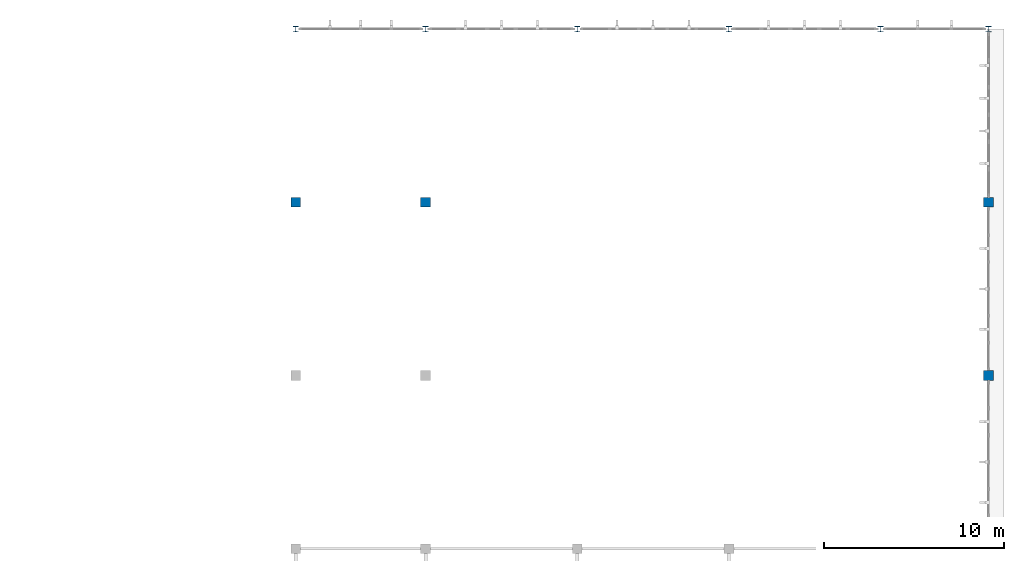
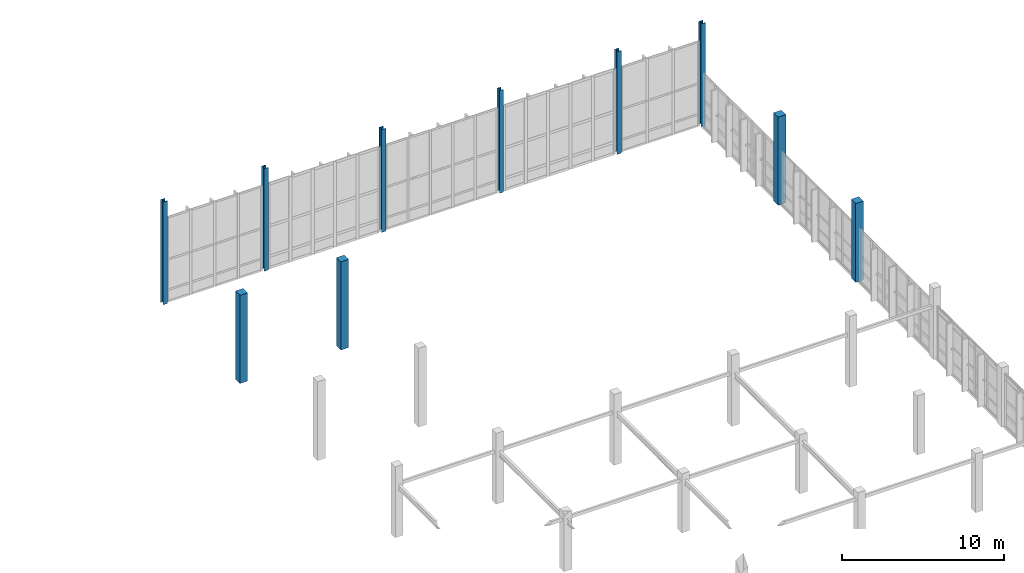
# One storey, part 5 of 67: 10 columns.
"""IFC4 building model written with IfcOpenShell, lengths in metres."""

from ifc_helpers import new_model, si_unit, direction, frame, origin, origin_2d, place, context, subcontext, project, spatial, rectangle, i_section, extrude, material, material_profile, profile_set, type_object, element, save


model = new_model("IFC4")

# Units and contexts
model_context = context("Model", 3, precision=1e-05, world=origin(), true_north=direction((0.0, 1.0)))
body_context = subcontext(model_context, "Body", "Model", "MODEL_VIEW")
ifc_project = project(units=[si_unit("LENGTHUNIT", "METRE"), si_unit("AREAUNIT", "SQUARE_METRE"), si_unit("VOLUMEUNIT", "CUBIC_METRE"), si_unit("PLANEANGLEUNIT", "RADIAN"), si_unit("MASSUNIT", "GRAM", prefix="KILO")], contexts=[model_context])

# Site, building, storey
site_placement = place(None, origin())
site = spatial("IfcSite", under=ifc_project, at=site_placement, CompositionType="ELEMENT")
building_placement = place(site_placement, origin())
building = spatial("IfcBuilding", under=site, at=building_placement, Name="Tizgana Railside Sports Hall", CompositionType="ELEMENT")
storey_placement = place(building_placement, frame((0.0, 0.0, 12.0)))
storey = spatial("IfcBuildingStorey", under=building, at=storey_placement, Name="L02", CompositionType="ELEMENT", Elevation=12.0)

# Columns
ifc_material_1 = material(Name="Concrete C40/50", Category="concrete")
ifc_material_profile_1 = material_profile(ifc_material_1, rectangle(XDim=0.550048828125, YDim=0.550048828125, at=origin_2d()), Name="RC 550x550")
ifc_profile_set_1 = profile_set([ifc_material_profile_1], Name="Concrete C40/50")
column_type_1 = type_object("IfcColumnType", Name="Concrete Column RC 550x550", PredefinedType="COLUMN", material=ifc_profile_set_1)
for number, where, z_axis, x_axis, name in (
    (1, (133.800048828125, 108.0, 0.0), (0.0, 0.0, 1.0), (1.0, 0.0, 0.0), "L02 COL-0432"),
    (2, (141.0, 108.0, 0.0), (0.0, 0.0, 1.0), (1.0, 0.0, 0.0), "L02 COL-0456"),
):
    element("IfcColumn", number, at=place(storey_placement, frame(where, z_axis=z_axis, x_axis=x_axis)), inside=storey, type_object=column_type_1, Name=name, PredefinedType="COLUMN", context=body_context, shape_type="SweptSolid", body=[
        extrude(rectangle(XDim=0.550048828125, YDim=0.550048828125, at=origin_2d()), origin(), (0.0, 0.0, 1.0), 6.64990234375),
    ])
column_1_placement = place(storey_placement, frame((172.199951171875, 98.39990234375, 0.0), z_axis=(0.0, 0.0, 1.0), x_axis=(1.0, 0.0, 0.0)))
element("IfcColumn", 3, at=column_1_placement, inside=storey, type_object=column_type_1, Name="L02 COL-0524", PredefinedType="COLUMN", context=body_context, shape_type="SweptSolid", body=[
    extrude(rectangle(XDim=0.550048828125, YDim=0.550048828125, at=origin_2d()), origin(), (0.0, 0.0, 1.0), 5.949951171875),
])
column_2_placement = place(storey_placement, frame((172.199951171875, 108.0, 0.0), z_axis=(0.0, 0.0, 1.0), x_axis=(1.0, 0.0, 0.0)))
element("IfcColumn", 4, at=column_2_placement, inside=storey, type_object=column_type_1, Name="L02 COL-0528", PredefinedType="COLUMN", context=body_context, shape_type="SweptSolid", body=[
    extrude(rectangle(XDim=0.550048828125, YDim=0.550048828125, at=origin_2d()), origin(), (0.0, 0.0, 1.0), 6.64990234375),
])
ifc_material_2 = material(Name="Steel S355J2", Category="steel")
ifc_material_profile_2 = material_profile(ifc_material_2, i_section(OverallWidth=0.300048828125, OverallDepth=0.320068359375, WebThickness=0.011474609375, FlangeThickness=0.0205078125, FilletRadius=0.027099609375, at=origin_2d()), Name="HEB 320")
ifc_profile_set_2 = profile_set([ifc_material_profile_2], Name="Steel S355J2")
column_type_2 = type_object("IfcColumnType", Name="Steel Column HEB 320", PredefinedType="COLUMN", material=ifc_profile_set_2)
for number, where, z_axis, x_axis, name in (
    (5, (133.800048828125, 117.60009765625, 0.0), (0.0, 0.0, 1.0), (1.0, 0.0, 0.0), "L02 COL-0436"),
    (6, (141.0, 117.60009765625, 0.0), (0.0, 0.0, 1.0), (1.0, 0.0, 0.0), "L02 COL-0460"),
    (7, (149.39990234375, 117.60009765625, 0.0), (0.0, 0.0, 1.0), (1.0, 0.0, 0.0), "L02 COL-0476"),
    (8, (157.800048828125, 117.60009765625, 0.0), (0.0, 0.0, 1.0), (1.0, 0.0, 0.0), "L02 COL-0492"),
    (9, (166.199951171875, 117.60009765625, 0.0), (0.0, 0.0, 1.0), (1.0, 0.0, 0.0), "L02 COL-0508"),
    (10, (172.199951171875, 117.60009765625, 0.0), (0.0, 0.0, 1.0), (1.0, 0.0, 0.0), "L02 COL-0532"),
):
    element("IfcColumn", number, at=place(storey_placement, frame(where, z_axis=z_axis, x_axis=x_axis)), inside=storey, type_object=column_type_2, Name=name, PredefinedType="COLUMN", context=body_context, shape_type="SweptSolid", body=[
        extrude(i_section(OverallWidth=0.300048828125, OverallDepth=0.320068359375, WebThickness=0.011474609375, FlangeThickness=0.0205078125, FilletRadius=0.027099609375, at=origin_2d()), origin(), (0.0, 0.0, 1.0), 7.75),
    ])

save(model, "model.ifc")
